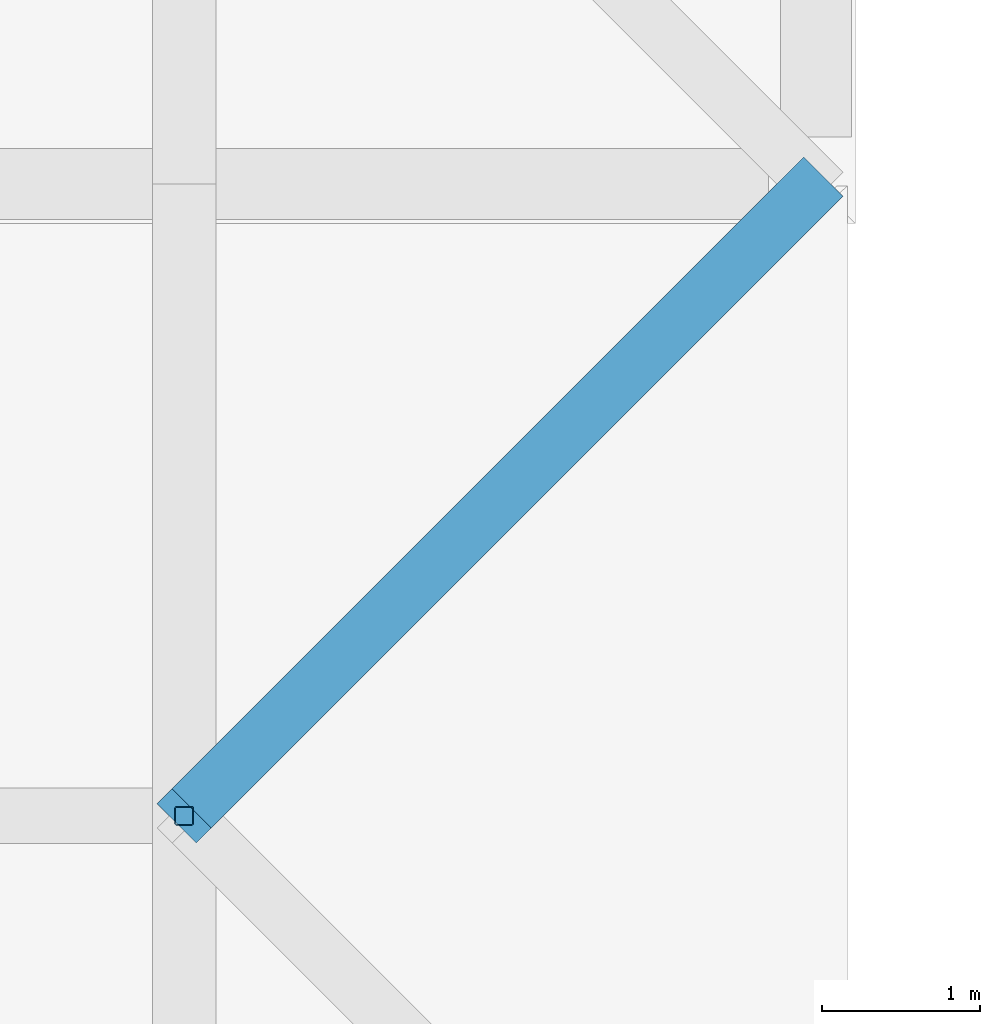
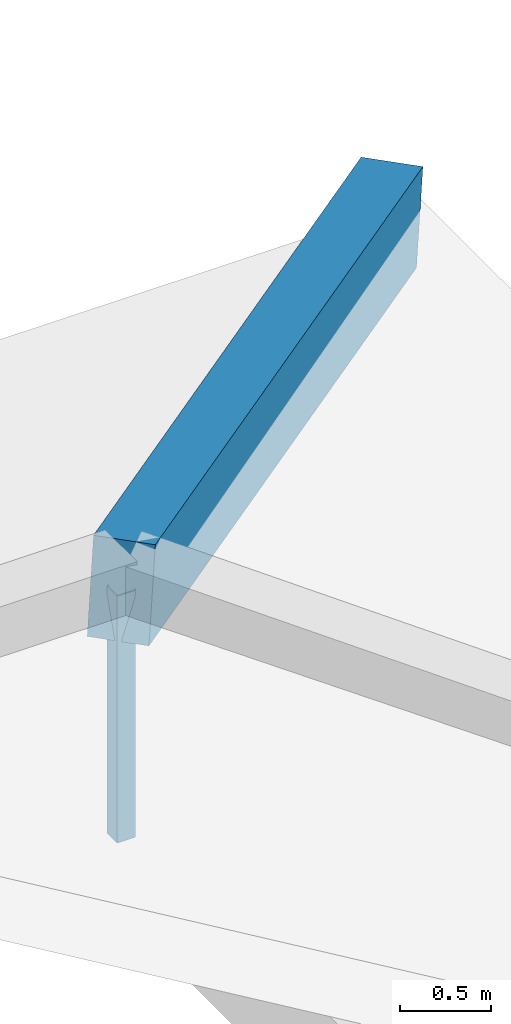
# One storey, part 21 of 56: 1 beam, 1 member.
"""IFC4 building model written with IfcOpenShell, lengths in metres."""

from ifc_helpers import new_model, si_unit, direction, frame, origin, origin_2d, place, context, subcontext, project, spatial, rectangle, hollow_rectangle, extrude, material, material_profile, profile_set, type_object, element, save


model = new_model("IFC4")

# Units and contexts
model_context = context("Model", 3, precision=1e-05, world=origin(), true_north=direction((0.0, 1.0)))
body_context = subcontext(model_context, "Body", "Model", "MODEL_VIEW")
ifc_project = project(units=[si_unit("LENGTHUNIT", "METRE"), si_unit("AREAUNIT", "SQUARE_METRE"), si_unit("VOLUMEUNIT", "CUBIC_METRE"), si_unit("PLANEANGLEUNIT", "RADIAN"), si_unit("MASSUNIT", "GRAM", prefix="KILO")], contexts=[model_context])

# Site, building, storey
site_placement = place(None, origin())
site = spatial("IfcSite", under=ifc_project, at=site_placement, CompositionType="ELEMENT")
building_placement = place(site_placement, origin())
building = spatial("IfcBuilding", under=site, at=building_placement, Name="Zacnel Wholesale Market", CompositionType="ELEMENT")
storey_placement = place(building_placement, frame((0.0, 0.0, 20.300048828125)))
storey = spatial("IfcBuildingStorey", under=building, at=storey_placement, Name="RF", CompositionType="ELEMENT", Elevation=20.300048828125)

# Beam
ifc_material_1 = material(Name="Concrete C40/50", Category="concrete")
ifc_material_profile_1 = material_profile(ifc_material_1, rectangle(XDim=0.35009765625, YDim=0.60009765625, at=origin_2d()), Name="ARCH RIB 350x600")
ifc_profile_set_1 = profile_set([ifc_material_profile_1], Name="Concrete C40/50")
beam_type = type_object("IfcBeamType", Name="BM-AR600", PredefinedType="USERDEFINED", material=ifc_profile_set_1)
beam_placement = place(storey_placement, frame((143.699951171875, 16.0, -4.570068359375), z_axis=(-0.689141918443, -0.689141918443, 0.223979535871), x_axis=(0.707106781187, -0.707106781187, 0.0)))
element("IfcBeam", 1, at=beam_placement, inside=storey, type_object=beam_type, Name="Hipped crown rib STR-ROOF-V4E-SOUTH-3", ObjectType="ARCH RIB", PredefinedType="USERDEFINED", context=body_context, shape_type="SweptSolid", body=[
    extrude(rectangle(XDim=0.35009765625, YDim=0.60009765625, at=origin_2d()), origin(), (0.0, 0.0, 1.0), 5.80419921875),
])

# Member
ifc_material_2 = material(Name="Steel S355", Category="steel")
ifc_material_profile_2 = material_profile(ifc_material_2, hollow_rectangle(XDim=0.1201171875, YDim=0.1201171875, WallThickness=0.00634765625, InnerFilletRadius=0.006103515625, OuterFilletRadius=0.011962890625, at=origin_2d()), Name="HSS 120x120x6.3")
ifc_profile_set_2 = profile_set([ifc_material_profile_2], Name="Steel S355")
member_type = type_object("IfcMemberType", Name="MEM-PST-HSS120", PredefinedType="POST", material=ifc_profile_set_2)
member_placement = place(storey_placement, frame((139.699951171875, 12.0, -4.900146484375), z_axis=(0.0, 0.0, 1.0), x_axis=(1.0, 0.0, 0.0)))
element("IfcMember", 2, at=member_placement, inside=storey, type_object=member_type, Name="Hipped crown king-post STR-ROOF-V4E-SOUTH-2", PredefinedType="POST", context=body_context, shape_type="SweptSolid", body=[
    extrude(hollow_rectangle(XDim=0.1201171875, YDim=0.1201171875, WallThickness=0.00634765625, InnerFilletRadius=0.006103515625, OuterFilletRadius=0.011962890625, at=origin_2d()), origin(), (0.0, 0.0, 1.0), 1.650146484375),
])

save(model, "model.ifc")
